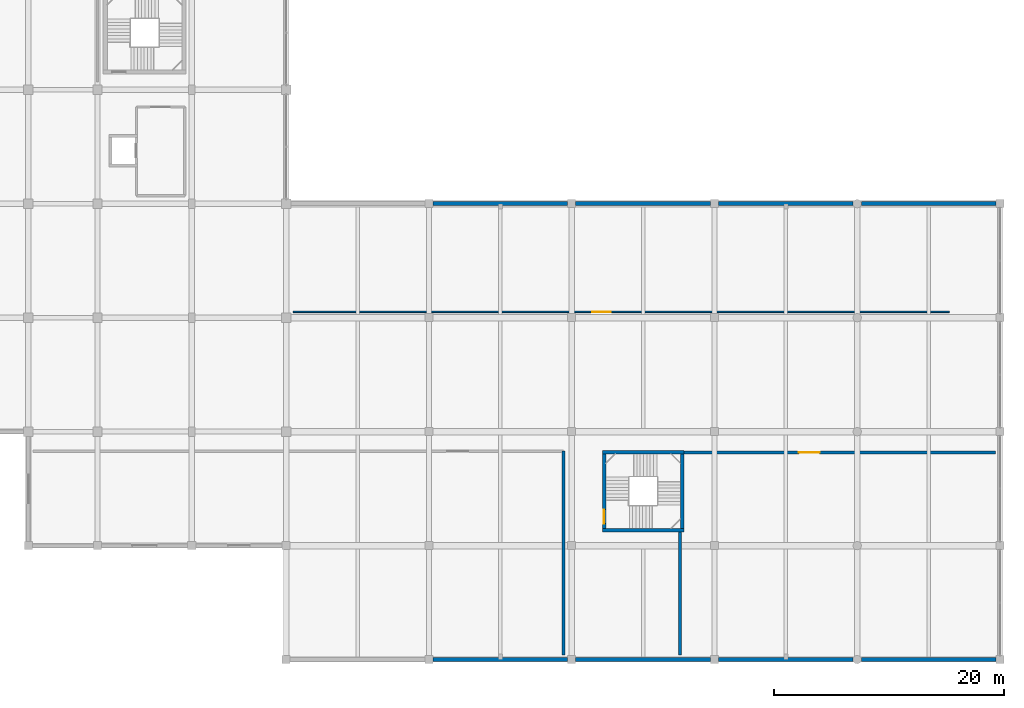
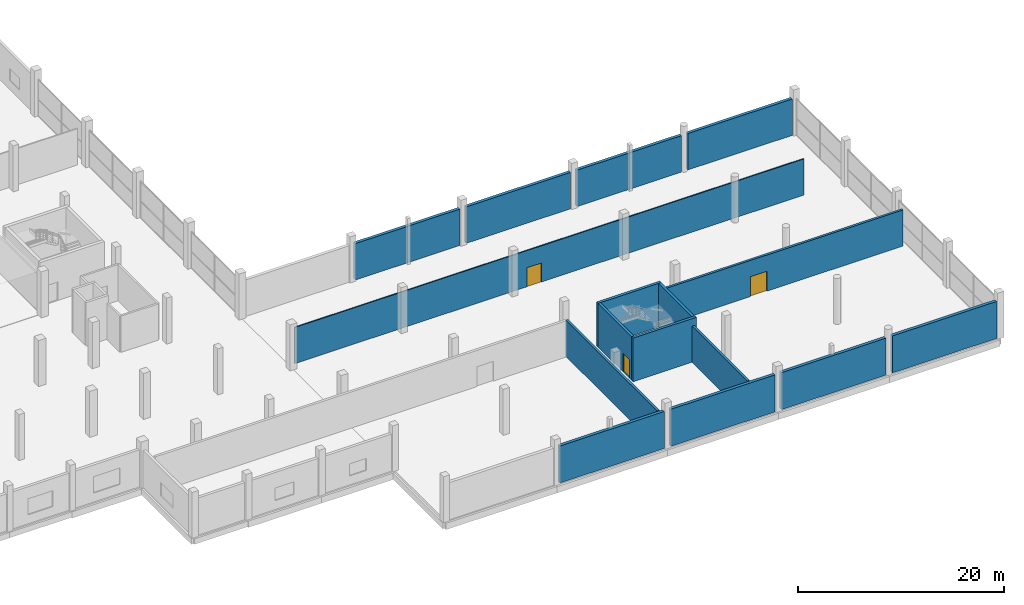
# One storey, part 47 of 72: 16 walls, 3 doors, 3 openings.
"""IFC4 building model written with IfcOpenShell, lengths in metres."""

import ifcopenshell
import ifcopenshell.guid

model = None  # the IFC model being written
_history = None  # IfcOwnerHistory: only IFC2X3 demands one
_inside = {}  # id of a spatial element -> (the spatial element, [elements in it])
_under = {}  # id of a project, library or spatial element -> (it, [spatial elements below it])
_declared = {}  # id of a project -> (the project, [libraries it declares])
_typed = {}  # id of a type object -> (the type object, [elements of that type])
_made_of = {}  # id of a material, layer set ... -> (it, [elements and type objects made of it])


def new_model(schema):
    """Start an empty IFC model of exactly this schema.

    Asked for "IFC4X3", IfcOpenShell would pick the latest addendum, in which some entities
    have other attributes; the version numbers below select the first issue.
    IFC2X3 requires an IfcOwnerHistory on every rooted entity: one is made here for all.
    """
    global model, _history
    if schema == "IFC4X3":
        model = ifcopenshell.file(schema_version=(4, 3, 0, 0))
    else:
        model = ifcopenshell.file(schema=schema)
    _inside.clear()
    _under.clear()
    _declared.clear()
    _typed.clear()
    _made_of.clear()
    _history = None
    if model.schema == "IFC2X3":
        org = make("IfcOrganization", Name="unknown")
        user = make(
            "IfcPersonAndOrganization",
            ThePerson=make("IfcPerson", FamilyName="unknown"),
            TheOrganization=org,
        )
        app = make(
            "IfcApplication",
            ApplicationDeveloper=org,
            Version="unknown",
            ApplicationFullName="unknown",
            ApplicationIdentifier="unknown",
        )
        _history = make(
            "IfcOwnerHistory",
            OwningUser=user,
            OwningApplication=app,
            ChangeAction="ADDED",
            CreationDate=0,
        )
    return model


def make(cls, **values):
    """One entity of the class cls with the attributes given. An attribute that is None is left unset."""
    return model.create_entity(
        cls, **{name: value for name, value in values.items() if value is not None}
    )


def rooted(cls, **values):
    """An entity with a GlobalId (a new one), such as an element, a storey or a relation."""
    return make(cls, GlobalId=ifcopenshell.guid.new(), OwnerHistory=_history, **values)


def si_unit(unit_type, name, prefix=None):
    """IfcSIUnit, for example si_unit("LENGTHUNIT", "METRE", prefix="MILLI")."""
    return make("IfcSIUnit", UnitType=unit_type, Prefix=prefix, Name=name)


def assignment(units):
    """IfcUnitAssignment: the units of a project."""
    return None if units is None else make("IfcUnitAssignment", Units=units)


def point(xyz):
    """IfcCartesianPoint."""
    return None if xyz is None else make("IfcCartesianPoint", Coordinates=xyz)


def direction(xyz):
    """IfcDirection."""
    return None if xyz is None else make("IfcDirection", DirectionRatios=xyz)


def frame(location, z_axis=None, x_axis=None):
    """IfcAxis2Placement3D, a coordinate frame: its origin and axes. An axis left out is left unset."""
    return make(
        "IfcAxis2Placement3D",
        Location=point(location),
        Axis=direction(z_axis),
        RefDirection=direction(x_axis),
    )


def frame_2d(location, x_axis=None):
    """IfcAxis2Placement2D, a coordinate frame in the plane: its origin and x axis."""
    return make(
        "IfcAxis2Placement2D", Location=point(location), RefDirection=direction(x_axis)
    )


def origin():
    """The frame at (0, 0, 0) with its axes left unset."""
    return frame((0.0, 0.0, 0.0))


def place(relative_to, where):
    """IfcLocalPlacement: puts the frame where relative to a parent placement (None: the world)."""
    return make(
        "IfcLocalPlacement", PlacementRelTo=relative_to, RelativePlacement=where
    )


def context(
    kind, dimensions, precision=None, world=None, true_north=None, identifier=None
):
    """IfcGeometricRepresentationContext, for example the 3D "Model" context."""
    return make(
        "IfcGeometricRepresentationContext",
        ContextIdentifier=identifier,
        ContextType=kind,
        CoordinateSpaceDimension=dimensions,
        Precision=precision,
        WorldCoordinateSystem=world,
        TrueNorth=true_north,
    )


def subcontext(parent, identifier, kind, view, scale=None):
    """IfcGeometricRepresentationSubContext, for example "Body" below "Model"."""
    return make(
        "IfcGeometricRepresentationSubContext",
        ContextIdentifier=identifier,
        ContextType=kind,
        ParentContext=parent,
        TargetScale=scale,
        TargetView=view,
    )


def project(units=None, contexts=None):
    """IfcProject with its units and contexts."""
    return rooted(
        "IfcProject",
        Name="project",
        RepresentationContexts=contexts,
        UnitsInContext=assignment(units),
    )


def spatial(cls, under=None, at=None, **own):
    """A site, building, storey or space (cls), placed at a placement, below another one or the project."""
    s = rooted(cls, ObjectPlacement=at, **own)
    if under is not None:
        _under.setdefault(under.id(), (under, []))[1].append(s)
    return s


def profile(cls, at=None, kind="AREA", **sizes):
    """A parametric profile (cls). Its sizes go by their IFC names, for example OverallWidth=200.0."""
    return make(cls, ProfileType=kind, Position=at, **sizes)


def rectangle(**sizes):
    """IfcRectangleProfileDef."""
    return profile("IfcRectangleProfileDef", **sizes)


def extrude(swept, where, along, depth):
    """IfcExtrudedAreaSolid: the profile swept, set in the frame where, extruded along a direction by depth."""
    return make(
        "IfcExtrudedAreaSolid",
        SweptArea=swept,
        Position=where,
        ExtrudedDirection=direction(along),
        Depth=depth,
    )


def shape(context_of_items, identifier, shape_type, items):
    """IfcShapeRepresentation: the items that make up one representation, for example the "Body"."""
    return make(
        "IfcShapeRepresentation",
        ContextOfItems=context_of_items,
        RepresentationIdentifier=identifier,
        RepresentationType=shape_type,
        Items=items,
    )


def material(Name=None, Category=None):
    """IfcMaterial."""
    return make("IfcMaterial", Name=Name, Category=Category)


def layer(
    of_material, thickness, ventilated=None, Name=None, Category=None, Priority=None
):
    """IfcMaterialLayer: one layer of a wall or slab, of a material (None: an air gap)."""
    return make(
        "IfcMaterialLayer",
        Material=of_material,
        LayerThickness=thickness,
        IsVentilated=ventilated,
        Name=Name,
        Category=Category,
        Priority=Priority,
    )


def layer_set(layers, Name=None):
    """IfcMaterialLayerSet."""
    return make("IfcMaterialLayerSet", MaterialLayers=layers, LayerSetName=Name)


def made_of(thing, what):
    """Note that an element or type object is made of a material, layer set ...; save() writes the relation."""
    if what is not None:
        _made_of.setdefault(what.id(), (what, []))[1].append(thing)
    return thing


def type_object(cls, material=None, **own):
    """A type object (cls), such as IfcWallType, which elements share."""
    return made_of(rooted(cls, **own), material)


def element(
    cls,
    number,
    at=None,
    inside=None,
    cuts=None,
    type_object=None,
    material=None,
    context=None,
    identifier="Body",
    shape_type=None,
    held_by="IfcProductDefinitionShape",
    body=None,
    shapes=None,
    **own,
):
    """One element of the class cls, such as IfcWall. Its Tag is "e" and its number.

    at: its placement. inside: the storey or other place that contains it. cuts: it is an
    opening in that element (IfcRelVoidsElement). A single representation is given by context,
    identifier, shape_type and body (its items); several are given by shapes. held_by: the class
    of the entity that holds the representations. save() writes the other relations.
    """
    e = rooted(cls, Tag="e%d" % number, ObjectPlacement=at, **own)
    if body is not None:
        shapes = [shape(context, identifier, shape_type, body)]
    if shapes is not None:
        e.Representation = make(held_by, Representations=shapes)
    if inside is not None:
        _inside.setdefault(inside.id(), (inside, []))[1].append(e)
    if cuts is not None:
        rooted(
            "IfcRelVoidsElement", RelatingBuildingElement=cuts, RelatedOpeningElement=e
        )
    if type_object is not None:
        _typed.setdefault(type_object.id(), (type_object, []))[1].append(e)
    return made_of(e, material)


def fill(opening, filler):
    """IfcRelFillsElement: the door or window that sits in an opening."""
    return rooted(
        "IfcRelFillsElement",
        RelatingOpeningElement=opening,
        RelatedBuildingElement=filler,
    )


def aggregate(whole, parts):
    """IfcRelAggregates: a whole, such as a stair, and the parts it consists of."""
    return rooted("IfcRelAggregates", RelatingObject=whole, RelatedObjects=parts)


def save(model, path):
    """Write the relations noted so far, then the file.

    IfcRelAggregates (storeys below a building ...), IfcRelContainedInSpatialStructure (elements
    in a storey), IfcRelDefinesByType, IfcRelAssociatesMaterial and IfcRelDeclares: one each for
    every whole, place, type object, material and project.
    """
    for whole, parts in _under.values():
        aggregate(whole, parts)
    for where, things in _inside.values():
        rooted(
            "IfcRelContainedInSpatialStructure",
            RelatedElements=things,
            RelatingStructure=where,
        )
    for kind, things in _typed.values():
        rooted("IfcRelDefinesByType", RelatedObjects=things, RelatingType=kind)
    for what, things in _made_of.values():
        rooted("IfcRelAssociatesMaterial", RelatedObjects=things, RelatingMaterial=what)
    for by, libraries in _declared.values():
        rooted("IfcRelDeclares", RelatingContext=by, RelatedDefinitions=libraries)
    model.write(path)


model = new_model("IFC4")

# Units and contexts
model_context = context("Model", 3, precision=1e-05, world=origin(), true_north=direction((0.0, 1.0)))
body_context = subcontext(model_context, "Body", "Model", "MODEL_VIEW")
ifc_project = project(units=[si_unit("LENGTHUNIT", "METRE"), si_unit("AREAUNIT", "SQUARE_METRE"), si_unit("VOLUMEUNIT", "CUBIC_METRE"), si_unit("PLANEANGLEUNIT", "RADIAN"), si_unit("MASSUNIT", "GRAM", prefix="KILO")], contexts=[model_context])

# Site, building, storey
site_placement = place(None, origin())
site = spatial("IfcSite", under=ifc_project, at=site_placement, CompositionType="ELEMENT")
building_placement = place(site_placement, origin())
building = spatial("IfcBuilding", under=site, at=building_placement, Name="Sillaruma Civic Art Gallery", CompositionType="ELEMENT")
storey_placement = place(building_placement, frame((0.0, 0.0, 10.8798828125)))
storey = spatial("IfcBuildingStorey", under=building, at=storey_placement, Name="L02", CompositionType="ELEMENT", Elevation=10.8798828125)

# Walls
ifc_material_1 = material(Name="Concrete H40 (40 MPa)", Category="concrete")
ifc_layer_1 = layer(ifc_material_1, 0.300048828125, Name="Concrete H40 (40 MPa)")
ifc_layer_set_1 = layer_set([ifc_layer_1], Name="Concrete H40 (40 MPa)")
wall_type_1 = type_object("IfcWallType", Name="WAL-CORE-300", PredefinedType="SHEAR", material=ifc_layer_set_1)
for number, where, z_axis, x_axis, name in (
    (1, (141.860107421875, 11.25, 0.0), (0.0, 0.0, 1.0), (1.0, 0.0, 0.0), "Stair Core Shear Wall W-CORE-300 (ST-05:L02:S)"),
    (2, (141.860107421875, 18.030029296875, 0.0), (0.0, 0.0, 1.0), (1.0, 0.0, 0.0), "Stair Core Shear Wall W-CORE-300 (ST-05:L02:N)"),
):
    element("IfcWall", number, at=place(storey_placement, frame(where, z_axis=z_axis, x_axis=x_axis)), inside=storey, type_object=wall_type_1, Name=name, PredefinedType="SHEAR", context=body_context, shape_type="SweptSolid", body=[
        extrude(rectangle(XDim=7.079833984375, YDim=0.300048828125, at=frame_2d((3.5400390625, 0.0))), origin(), (0.0, 0.0, 1.0), 5.16015625),
    ])

# Wall, opening, door
wall_1_placement = place(storey_placement, frame((142.010009765625, 11.39990234375, 0.0), z_axis=(0.0, 0.0, 1.0), x_axis=(0.0, 1.0, 0.0)))
wall_1 = element("IfcWall", 3, at=wall_1_placement, inside=storey, type_object=wall_type_1, Name="Stair Core Shear Wall W-CORE-300 (ST-05:L02:W)", PredefinedType="SHEAR", context=body_context, shape_type="SweptSolid", body=[
    extrude(rectangle(XDim=6.47998046875, YDim=0.300048828125, at=frame_2d((3.239990234375, 0.0))), origin(), (0.0, 0.0, 1.0), 5.16015625),
])
opening_1_placement = place(wall_1_placement, frame((0.419921875, 0.0, 0.0)))
opening_1 = element("IfcOpeningElement", 4, at=opening_1_placement, cuts=wall_1, Name="Opening D-STAIR", PredefinedType="OPENING", context=body_context, shape_type="SweptSolid", body=[
    extrude(rectangle(XDim=1.199951171875, YDim=2.199951171875, at=frame_2d((0.60009765625, 1.10009765625))), frame((0.0, 0.159912109375, 0.0), z_axis=(0.0, -1.0, 0.0), x_axis=(1.0, 0.0, 0.0)), (0.0, 0.0, 1.0), 0.320068359375),
])
ifc_material_2 = material(Name="Galvanised Steel ASTM A653 Gr.50", Category="steel")
door_type_1 = type_object("IfcDoorType", Name="DOR-STAIR-120", OperationType="NOTDEFINED", PredefinedType="DOOR", material=ifc_material_2)
door_1_placement = place(opening_1_placement, frame((1.199951171875, 0.0, 0.0), z_axis=(0.0, 0.0, 1.0), x_axis=(-1.0, 0.0, 0.0)))
door_1 = element("IfcDoor", 5, at=door_1_placement, inside=storey, type_object=door_type_1, Name="Protected Stair Fire Door (ST-05:L02)", OperationType="SINGLE_SWING_LEFT", OverallHeight=2.199951171875, OverallWidth=1.199951171875, PredefinedType="DOOR", context=body_context, shape_type="SweptSolid", body=[
    extrude(rectangle(XDim=1.199951171875, YDim=2.199951171875, at=frame_2d((0.60009765625, 1.10009765625))), frame((0.0, 0.02490234375, 0.0), z_axis=(0.0, -1.0, 0.0), x_axis=(1.0, 0.0, 0.0)), (0.0, 0.0, 1.0), 0.050048828125),
])
fill(opening_1, door_1)

# Walls
wall_2_placement = place(storey_placement, frame((148.7900390625, 11.39990234375, 0.0), z_axis=(0.0, 0.0, 1.0), x_axis=(0.0, 1.0, 0.0)))
element("IfcWall", 6, at=wall_2_placement, inside=storey, type_object=wall_type_1, Name="Stair Core Shear Wall W-CORE-300 (ST-05:L02:E)", PredefinedType="SHEAR", context=body_context, shape_type="SweptSolid", body=[
    extrude(rectangle(XDim=6.47998046875, YDim=0.300048828125, at=frame_2d((3.239990234375, 0.0))), origin(), (0.0, 0.0, 1.0), 5.16015625),
])
ifc_layer_2 = layer(ifc_material_1, 0.239990234375, Name="Boundary concrete", Category="concrete")
ifc_material_3 = material(Name="Mineral Wool Thermal Insulation", Category="insulation")
ifc_layer_3 = layer(ifc_material_3, 0.10009765625, Name="Acoustic-thermal liner", Category="insulation")
ifc_layer_set_2 = layer_set([ifc_layer_2, ifc_layer_3], Name="W-EXT-340")
wall_type_2 = type_object("IfcWallType", Name="WAL-EXT-340", PredefinedType="SOLIDWALL", material=ifc_layer_set_2)
wall_3_placement = place(storey_placement, frame((127.14990234375, 0.0, 0.0), z_axis=(0.0, 0.0, 1.0), x_axis=(1.0, 0.0, 0.0)))
element("IfcWall", 7, at=wall_3_placement, inside=storey, type_object=wall_type_2, Name="Exterior Wall W-EXT-340 (EW-L02-EPS-2)", PredefinedType="SOLIDWALL", context=body_context, shape_type="SweptSolid", body=[
    extrude(rectangle(XDim=11.7001953125, YDim=0.340087890625, at=frame_2d((5.85009765625, 0.0))), origin(), (0.0, 0.0, 1.0), 4.380126953125),
])
wall_4_placement = place(storey_placement, frame((127.14990234375, 39.60009765625, 0.0), z_axis=(0.0, 0.0, 1.0), x_axis=(1.0, 0.0, 0.0)))
element("IfcWall", 8, at=wall_4_placement, inside=storey, type_object=wall_type_2, Name="Exterior Wall W-EXT-340 (EW-L02-EPN-2)", PredefinedType="SOLIDWALL", context=body_context, shape_type="SweptSolid", body=[
    extrude(rectangle(XDim=11.7001953125, YDim=0.340087890625, at=frame_2d((5.85009765625, 0.0))), origin(), (0.0, 0.0, 1.0), 4.31005859375),
])
wall_5_placement = place(storey_placement, frame((139.550048828125, 0.0, 0.0), z_axis=(0.0, 0.0, 1.0), x_axis=(1.0, 0.0, 0.0)))
element("IfcWall", 9, at=wall_5_placement, inside=storey, type_object=wall_type_2, Name="Exterior Wall W-EXT-340 (EW-L02-EPS-3)", PredefinedType="SOLIDWALL", context=body_context, shape_type="SweptSolid", body=[
    extrude(rectangle(XDim=11.699951171875, YDim=0.340087890625, at=frame_2d((5.85009765625, 0.0))), origin(), (0.0, 0.0, 1.0), 4.380126953125),
])
wall_6_placement = place(storey_placement, frame((139.550048828125, 39.60009765625, 0.0), z_axis=(0.0, 0.0, 1.0), x_axis=(1.0, 0.0, 0.0)))
element("IfcWall", 10, at=wall_6_placement, inside=storey, type_object=wall_type_2, Name="Exterior Wall W-EXT-340 (EW-L02-EPN-3)", PredefinedType="SOLIDWALL", context=body_context, shape_type="SweptSolid", body=[
    extrude(rectangle(XDim=11.699951171875, YDim=0.340087890625, at=frame_2d((5.85009765625, 0.0))), origin(), (0.0, 0.0, 1.0), 4.31005859375),
])
wall_7_placement = place(storey_placement, frame((151.949951171875, 0.0, 0.0), z_axis=(0.0, 0.0, 1.0), x_axis=(1.0, 0.0, 0.0)))
element("IfcWall", 11, at=wall_7_placement, inside=storey, type_object=wall_type_2, Name="Exterior Wall W-EXT-340 (EW-L02-EPS-4)", PredefinedType="SOLIDWALL", context=body_context, shape_type="SweptSolid", body=[
    extrude(rectangle(XDim=11.68994140625, YDim=0.340087890625, at=frame_2d((5.844970703125, 0.0))), origin(), (0.0, 0.0, 1.0), 4.380126953125),
])
wall_8_placement = place(storey_placement, frame((151.949951171875, 39.60009765625, 0.0), z_axis=(0.0, 0.0, 1.0), x_axis=(1.0, 0.0, 0.0)))
element("IfcWall", 12, at=wall_8_placement, inside=storey, type_object=wall_type_2, Name="Exterior Wall W-EXT-340 (EW-L02-EPN-4)", PredefinedType="SOLIDWALL", context=body_context, shape_type="SweptSolid", body=[
    extrude(rectangle(XDim=11.68994140625, YDim=0.340087890625, at=frame_2d((5.844970703125, 0.0))), origin(), (0.0, 0.0, 1.0), 4.31005859375),
])
wall_9_placement = place(storey_placement, frame((164.360107421875, 0.0, 0.0), z_axis=(0.0, 0.0, 1.0), x_axis=(1.0, 0.0, 0.0)))
element("IfcWall", 13, at=wall_9_placement, inside=storey, type_object=wall_type_2, Name="Exterior Wall W-EXT-340 (EW-L02-EPS-5)", PredefinedType="SOLIDWALL", context=body_context, shape_type="SweptSolid", body=[
    extrude(rectangle(XDim=11.68994140625, YDim=0.340087890625, at=frame_2d((5.844970703125, 0.0))), origin(), (0.0, 0.0, 1.0), 4.380126953125),
])
wall_10_placement = place(storey_placement, frame((164.360107421875, 39.60009765625, 0.0), z_axis=(0.0, 0.0, 1.0), x_axis=(1.0, 0.0, 0.0)))
element("IfcWall", 14, at=wall_10_placement, inside=storey, type_object=wall_type_2, Name="Exterior Wall W-EXT-340 (EW-L02-EPN-5)", PredefinedType="SOLIDWALL", context=body_context, shape_type="SweptSolid", body=[
    extrude(rectangle(XDim=11.68994140625, YDim=0.340087890625, at=frame_2d((5.844970703125, 0.0))), origin(), (0.0, 0.0, 1.0), 4.31005859375),
])

# Wall, opening, door
ifc_material_4 = material(Name="Gypsum Acoustic Board", Category="gypsum")
ifc_layer_4 = layer(ifc_material_4, 0.02490234375, Name="Finish board", Category="gypsum")
ifc_layer_5 = layer(ifc_material_3, 0.080078125, Name="Acoustic core", Category="insulation")
ifc_material_5 = material(Name="Andean Oak Timber", Category="wood")
ifc_layer_6 = layer(ifc_material_5, 0.02490234375, Name="Gallery lining", Category="wood")
ifc_layer_set_3 = layer_set([ifc_layer_4, ifc_layer_5, ifc_layer_6], Name="W-PT-130")
wall_type_3 = type_object("IfcWallType", Name="WAL-PART-130", PredefinedType="PARTITIONING", material=ifc_layer_set_3)
wall_11_placement = place(storey_placement, frame((115.0, 30.199951171875, 0.0), z_axis=(0.0, 0.0, 1.0), x_axis=(1.0, 0.0, 0.0)))
wall_11 = element("IfcWall", 15, at=wall_11_placement, inside=storey, type_object=wall_type_3, Name="Interior Wall W-PT-130 (L02-CUR22)", PredefinedType="PARTITIONING", context=body_context, shape_type="SweptSolid", body=[
    extrude(rectangle(XDim=57.0, YDim=0.1298828125, at=frame_2d((28.5, 0.0))), origin(), (0.0, 0.0, 1.0), 4.280029296875),
])
opening_2_placement = place(wall_11_placement, frame((26.0, 0.0, 0.0)))
opening_2 = element("IfcOpeningElement", 16, at=opening_2_placement, cuts=wall_11, Name="Opening D-INT16", PredefinedType="OPENING", context=body_context, shape_type="SweptSolid", body=[
    extrude(rectangle(XDim=1.60009765625, YDim=2.25, at=frame_2d((0.800048828125, 1.125))), frame((0.0, 0.074951171875, 0.0), z_axis=(0.0, -1.0, 0.0), x_axis=(1.0, 0.0, 0.0)), (0.0, 0.0, 1.0), 0.14990234375),
])
door_type_2 = type_object("IfcDoorType", Name="DOR-INT-160", OperationType="NOTDEFINED", PredefinedType="DOOR", material=ifc_material_5)
door_2_placement = place(opening_2_placement, origin())
door_2 = element("IfcDoor", 17, at=door_2_placement, inside=storey, type_object=door_type_2, Name="Education Faculty Curatorial Office Door (D-INT16)", OperationType="DOUBLE_DOOR_SINGLE_SWING", OverallHeight=2.25, OverallWidth=1.60009765625, PredefinedType="DOOR", context=body_context, shape_type="SweptSolid", body=[
    extrude(rectangle(XDim=1.60009765625, YDim=2.25, at=frame_2d((0.800048828125, 1.125))), frame((0.0, 0.02490234375, 0.0), z_axis=(0.0, -1.0, 0.0), x_axis=(1.0, 0.0, 0.0)), (0.0, 0.0, 1.0), 0.050048828125),
])
fill(opening_2, door_2)

# Wall
ifc_material_6 = material(Name="Concrete Masonry Unit Grade M15", Category="masonry")
ifc_layer_7 = layer(ifc_material_6, 0.2548828125, Name="Concrete Masonry Unit Grade M15")
ifc_layer_set_4 = layer_set([ifc_layer_7], Name="Concrete Masonry Unit Grade M15")
wall_type_4 = type_object("IfcWallType", Name="WAL-STORE-250", PredefinedType="SOLIDWALL", material=ifc_layer_set_4)
wall_12_placement = place(storey_placement, frame((138.5, 0.39990234375, 0.0), z_axis=(0.0, 0.0, 1.0), x_axis=(0.0, 1.0, 0.0)))
element("IfcWall", 18, at=wall_12_placement, inside=storey, type_object=wall_type_4, Name="Interior Wall W-STORE-250 (L02-STR21)", PredefinedType="SOLIDWALL", context=body_context, shape_type="SweptSolid", body=[
    extrude(rectangle(XDim=17.7001953125, YDim=0.2548828125, at=frame_2d((8.85009765625, 0.0))), origin(), (0.0, 0.0, 1.0), 4.280029296875),
])

# Wall, opening, door
wall_13_placement = place(storey_placement, frame((148.93994140625, 18.0, 0.0), z_axis=(0.0, 0.0, 1.0), x_axis=(1.0, 0.0, 0.0)))
wall_13 = element("IfcWall", 19, at=wall_13_placement, inside=storey, type_object=wall_type_4, Name="Interior Wall W-STORE-250 (L02-STR23)", PredefinedType="SOLIDWALL", context=body_context, shape_type="SweptSolid", body=[
    extrude(rectangle(XDim=27.06005859375, YDim=0.2548828125, at=frame_2d((13.530029296875, 0.0))), origin(), (0.0, 0.0, 1.0), 4.280029296875),
])
opening_3_placement = place(wall_13_placement, frame((10.0, 0.0, 0.0)))
opening_3 = element("IfcOpeningElement", 20, at=opening_3_placement, cuts=wall_13, Name="Opening D-STR18", PredefinedType="OPENING", context=body_context, shape_type="SweptSolid", body=[
    extrude(rectangle(XDim=1.800048828125, YDim=2.35009765625, at=frame_2d((0.89990234375, 1.175048828125))), frame((0.0, 0.137451171875, 0.0), z_axis=(0.0, -1.0, 0.0), x_axis=(1.0, 0.0, 0.0)), (0.0, 0.0, 1.0), 0.27490234375),
])
door_type_3 = type_object("IfcDoorType", Name="DOR-STORE-180", OperationType="NOTDEFINED", PredefinedType="DOOR", material=ifc_material_2)
door_3_placement = place(opening_3_placement, origin())
door_3 = element("IfcDoor", 21, at=door_3_placement, inside=storey, type_object=door_type_3, Name="East Learning Archive Art Store Door (D-STR18)", OperationType="DOUBLE_DOOR_SINGLE_SWING", OverallHeight=2.35009765625, OverallWidth=1.800048828125, PredefinedType="DOOR", context=body_context, shape_type="SweptSolid", body=[
    extrude(rectangle(XDim=1.800048828125, YDim=2.35009765625, at=frame_2d((0.89990234375, 1.175048828125))), frame((0.0, 0.02490234375, 0.0), z_axis=(0.0, -1.0, 0.0), x_axis=(1.0, 0.0, 0.0)), (0.0, 0.0, 1.0), 0.050048828125),
])
fill(opening_3, door_3)

# Wall
wall_14_placement = place(storey_placement, frame((148.60009765625, 0.39990234375, 0.0), z_axis=(0.0, 0.0, 1.0), x_axis=(0.0, 1.0, 0.0)))
element("IfcWall", 22, at=wall_14_placement, inside=storey, type_object=wall_type_4, Name="Interior Wall W-STORE-250 (L02-STR23)", PredefinedType="SOLIDWALL", context=body_context, shape_type="SweptSolid", body=[
    extrude(rectangle(XDim=10.7001953125, YDim=0.2548828125, at=frame_2d((5.35009765625, 0.0))), origin(), (0.0, 0.0, 1.0), 4.280029296875),
])

save(model, "model.ifc")
